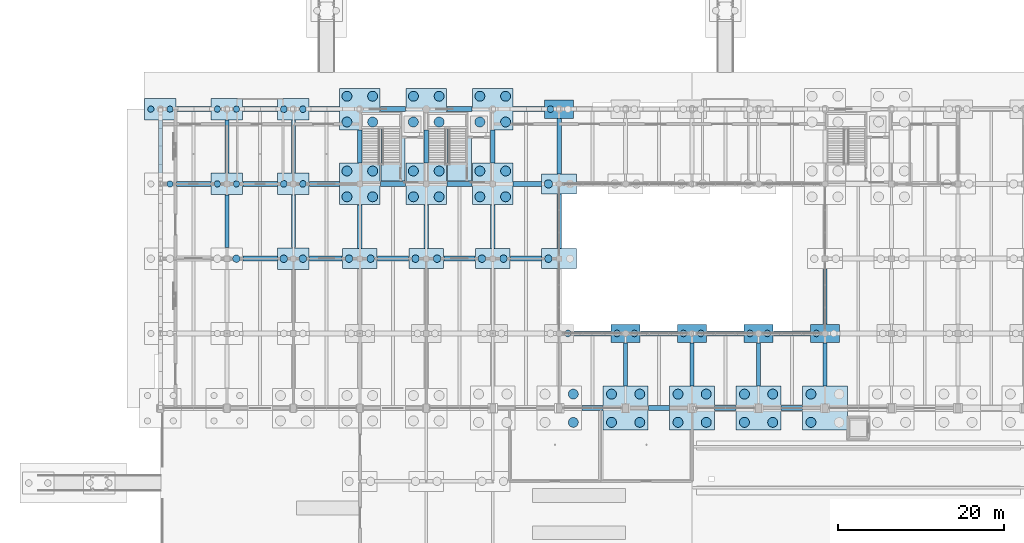
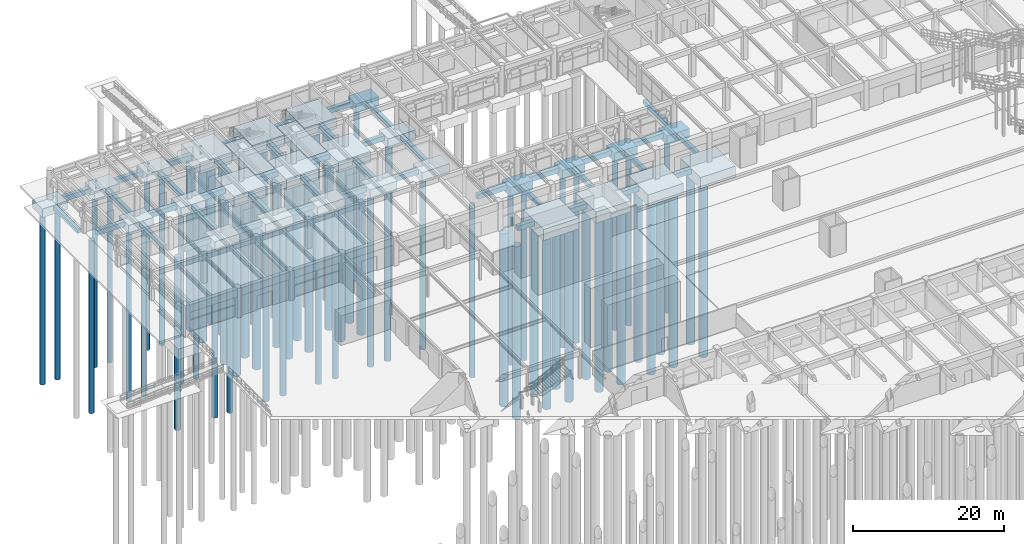
# One storey, part 5 of 147: 71 footings, 71 piles.
"""IFC4 building model written with IfcOpenShell, lengths in metres."""

from ifc_helpers import new_model, si_unit, direction, frame, origin, origin_2d, place, context, subcontext, project, spatial, rectangle, circle, extrude, material, layer, layer_set, material_profile, profile_set, type_object, element, save


model = new_model("IFC4")

# Units and contexts
model_context = context("Model", 3, precision=1e-05, world=origin(), true_north=direction((0.0, 1.0)))
body_context = subcontext(model_context, "Body", "Model", "MODEL_VIEW")
ifc_project = project(units=[si_unit("LENGTHUNIT", "METRE"), si_unit("AREAUNIT", "SQUARE_METRE"), si_unit("VOLUMEUNIT", "CUBIC_METRE"), si_unit("PLANEANGLEUNIT", "RADIAN"), si_unit("MASSUNIT", "GRAM", prefix="KILO")], contexts=[model_context])

# Site, building, storey
site_placement = place(None, origin())
site = spatial("IfcSite", under=ifc_project, at=site_placement, CompositionType="ELEMENT")
building_placement = place(site_placement, origin())
building = spatial("IfcBuilding", under=site, at=building_placement, Name="Varnabhumi Central Station", CompositionType="ELEMENT")
storey_placement = place(building_placement, origin())
storey = spatial("IfcBuildingStorey", under=building, at=storey_placement, Name="L00", CompositionType="ELEMENT", Elevation=0.0)

# Footings
ifc_material_1 = material(Name="Concrete M40", Category="concrete")
ifc_layer_1 = layer(ifc_material_1, 1.39990234375, Name="Concrete M40", Category="concrete")
ifc_layer_set_1 = layer_set([ifc_layer_1], Name="Concrete M40")
footing_type_1 = type_object("IfcFootingType", Name="CAP-CANOPY", PredefinedType="PILE_CAP", material=ifc_layer_set_1)
for number, where, z_axis, x_axis, name in (
    (1, (0.0, 116.0, -1.699951171875), (0.0, 0.0, 1.0), (1.0, 0.0, 0.0), "Pile Cap 1-P"),
    (2, (8.0, 107.0, -1.699951171875), (0.0, 0.0, 1.0), (1.0, 0.0, 0.0), "Pile Cap 2-N"),
    (3, (8.0, 116.0, -1.699951171875), (0.0, 0.0, 1.0), (1.0, 0.0, 0.0), "Pile Cap 2-P"),
    (4, (16.0, 98.0, -1.699951171875), (0.0, 0.0, 1.0), (1.0, 0.0, 0.0), "Pile Cap 3-M"),
    (5, (16.0, 107.0, -1.699951171875), (0.0, 0.0, 1.0), (1.0, 0.0, 0.0), "Pile Cap 3-N"),
    (6, (16.0, 116.0, -1.699951171875), (0.0, 0.0, 1.0), (1.0, 0.0, 0.0), "Pile Cap 3-P"),
):
    element("IfcFooting", number, at=place(storey_placement, frame(where, z_axis=z_axis, x_axis=x_axis)), inside=storey, type_object=footing_type_1, Name=name, PredefinedType="PILE_CAP", context=body_context, shape_type="SweptSolid", body=[
        extrude(rectangle(XDim=3.800048828125, YDim=2.60009765625, at=origin_2d()), origin(), (0.0, 0.0, 1.0), 1.39990234375),
    ])
ifc_layer_2 = layer(ifc_material_1, 1.75, Name="Concrete M40", Category="concrete")
ifc_layer_set_2 = layer_set([ifc_layer_2], Name="Concrete M40")
footing_type_2 = type_object("IfcFootingType", Name="CAP-CORE-6S", PredefinedType="PILE_CAP", material=ifc_layer_set_2)
for number, where, z_axis, x_axis, name in (
    (7, (24.0, 107.0, -2.050048828125), (0.0, 0.0, 1.0), (1.0, 0.0, 0.0), "Pile Cap 4-N"),
    (8, (24.0, 116.0, -2.050048828125), (0.0, 0.0, 1.0), (1.0, 0.0, 0.0), "Pile Cap 4-P"),
    (9, (32.0, 107.0, -2.050048828125), (0.0, 0.0, 1.0), (1.0, 0.0, 0.0), "Pile Cap 5-N"),
    (10, (32.0, 116.0, -2.050048828125), (0.0, 0.0, 1.0), (1.0, 0.0, 0.0), "Pile Cap 5-P"),
    (11, (40.0, 107.0, -2.050048828125), (0.0, 0.0, 1.0), (1.0, 0.0, 0.0), "Pile Cap 6-N"),
    (12, (40.0, 116.0, -2.050048828125), (0.0, 0.0, 1.0), (1.0, 0.0, 0.0), "Pile Cap 6-P"),
):
    element("IfcFooting", number, at=place(storey_placement, frame(where, z_axis=z_axis, x_axis=x_axis)), inside=storey, type_object=footing_type_2, Name=name, PredefinedType="PILE_CAP", context=body_context, shape_type="SweptSolid", body=[
        extrude(rectangle(XDim=4.89990234375, YDim=5.0, at=origin_2d()), origin(), (0.0, 0.0, 1.0), 1.75),
    ])
ifc_layer_3 = layer(ifc_material_1, 1.5, Name="Concrete M40", Category="concrete")
ifc_layer_set_3 = layer_set([ifc_layer_3], Name="Concrete M40")
footing_type_3 = type_object("IfcFootingType", Name="CAP-NORTH-INT", PredefinedType="PILE_CAP", material=ifc_layer_set_3)
for number, where, z_axis, x_axis, name in (
    (13, (24.0, 98.0, -1.800048828125), (0.0, 0.0, 1.0), (1.0, 0.0, 0.0), "Pile Cap 4-M"),
    (14, (32.0, 98.0, -1.800048828125), (0.0, 0.0, 1.0), (1.0, 0.0, 0.0), "Pile Cap 5-M"),
    (15, (40.0, 98.0, -1.800048828125), (0.0, 0.0, 1.0), (1.0, 0.0, 0.0), "Pile Cap 6-M"),
    (16, (48.0, 98.0, -1.800048828125), (0.0, 0.0, 1.0), (1.0, 0.0, 0.0), "Pile Cap 7-M"),
    (17, (48.0, 107.0, -1.800048828125), (0.0, 0.0, 1.0), (1.0, 0.0, 0.0), "Pile Cap 7-N"),
):
    element("IfcFooting", number, at=place(storey_placement, frame(where, z_axis=z_axis, x_axis=x_axis)), inside=storey, type_object=footing_type_3, Name=name, PredefinedType="PILE_CAP", context=body_context, shape_type="SweptSolid", body=[
        extrude(rectangle(XDim=4.199951171875, YDim=2.39990234375, at=origin_2d()), origin(), (0.0, 0.0, 1.0), 1.5),
    ])
ifc_layer_4 = layer(ifc_material_1, 1.449951171875, Name="Concrete M40", Category="concrete")
ifc_layer_set_4 = layer_set([ifc_layer_4], Name="Concrete M40")
footing_type_4 = type_object("IfcFootingType", Name="CAP-NORTH-PER", PredefinedType="PILE_CAP", material=ifc_layer_set_4)
for number, where, z_axis, x_axis, name in (
    (18, (48.0, 116.0, -1.75), (0.0, 0.0, 1.0), (1.0, 0.0, 0.0), "Pile Cap 7-P"),
    (19, (56.0, 89.0, -1.75), (0.0, 0.0, 1.0), (1.0, 0.0, 0.0), "Pile Cap 8-L"),
    (20, (64.0, 89.0, -1.75), (0.0, 0.0, 1.0), (1.0, 0.0, 0.0), "Pile Cap 9-L"),
    (21, (72.0, 89.0, -1.75), (0.0, 0.0, 1.0), (1.0, 0.0, 0.0), "Pile Cap 10-L"),
    (22, (80.0, 89.0, -1.75), (0.0, 0.0, 1.0), (1.0, 0.0, 0.0), "Pile Cap 11-L"),
):
    element("IfcFooting", number, at=place(storey_placement, frame(where, z_axis=z_axis, x_axis=x_axis)), inside=storey, type_object=footing_type_4, Name=name, PredefinedType="PILE_CAP", context=body_context, shape_type="SweptSolid", body=[
        extrude(rectangle(XDim=3.5, YDim=2.199951171875, at=origin_2d()), origin(), (0.0, 0.0, 1.0), 1.449951171875),
    ])
ifc_layer_5 = layer(ifc_material_1, 1.800048828125, Name="Concrete M40", Category="concrete")
ifc_layer_set_5 = layer_set([ifc_layer_5], Name="Concrete M40")
footing_type_5 = type_object("IfcFootingType", Name="CAP-SPINE-HVY", PredefinedType="PILE_CAP", material=ifc_layer_set_5)
for number, where, z_axis, x_axis, name in (
    (23, (56.0, 80.0, -2.10009765625), (0.0, 0.0, 1.0), (1.0, 0.0, 0.0), "Pile Cap 8-K"),
    (24, (64.0, 80.0, -2.10009765625), (0.0, 0.0, 1.0), (1.0, 0.0, 0.0), "Pile Cap 9-K"),
    (25, (72.0, 80.0, -2.10009765625), (0.0, 0.0, 1.0), (1.0, 0.0, 0.0), "Pile Cap 10-K"),
    (26, (80.0, 80.0, -2.10009765625), (0.0, 0.0, 1.0), (1.0, 0.0, 0.0), "Pile Cap 11-K"),
):
    element("IfcFooting", number, at=place(storey_placement, frame(where, z_axis=z_axis, x_axis=x_axis)), inside=storey, type_object=footing_type_5, Name=name, PredefinedType="PILE_CAP", context=body_context, shape_type="SweptSolid", body=[
        extrude(rectangle(XDim=5.39990234375, YDim=5.300048828125, at=origin_2d()), origin(), (0.0, 0.0, 1.0), 1.800048828125),
    ])
footing_type_6 = type_object("IfcFootingType", Name="FTG-STRIP-PLAT", PredefinedType="STRIP_FOOTING", material=ifc_material_1)
for number, where, z_axis, x_axis, name in (
    (27, (28.0, 111.5, -1.60009765625), (0.0, 0.0, 1.0), (1.0, 0.0, 0.0), "Core Foundation Mat NC1"),
    (28, (36.0, 111.5, -1.60009765625), (0.0, 0.0, 1.0), (1.0, 0.0, 0.0), "Core Foundation Mat NC4"),
):
    element("IfcFooting", number, at=place(storey_placement, frame(where, z_axis=z_axis, x_axis=x_axis)), inside=storey, type_object=footing_type_6, Name=name, PredefinedType="STRIP_FOOTING", context=body_context, shape_type="SweptSolid", body=[
        extrude(rectangle(XDim=2.89990234375, YDim=8.300048828125, at=origin_2d()), origin(), (0.0, 0.0, 1.0), 1.300048828125),
    ])
footing_type_7 = type_object("IfcFootingType", Name="FTG-TIE-500x700", PredefinedType="FOOTING_BEAM", material=ifc_material_1)
for number, where, z_axis, x_axis, name in (
    (29, (0.0, 111.5, -1.0), (0.0, 0.0, 1.0), (1.0, 0.0, 0.0), "Plinth Tie Beam 1:N-P"),
    (30, (8.0, 102.5, -1.0), (0.0, 0.0, 1.0), (1.0, 0.0, 0.0), "Plinth Tie Beam 2:M-N"),
    (31, (8.0, 111.5, -1.0), (0.0, 0.0, 1.0), (1.0, 0.0, 0.0), "Plinth Tie Beam 2:N-P"),
    (32, (16.0, 102.5, -1.0), (0.0, 0.0, 1.0), (1.0, 0.0, 0.0), "Plinth Tie Beam 3:M-N"),
    (33, (16.0, 111.5, -1.0), (0.0, 0.0, 1.0), (1.0, 0.0, 0.0), "Plinth Tie Beam 3:N-P"),
):
    element("IfcFooting", number, at=place(storey_placement, frame(where, z_axis=z_axis, x_axis=x_axis)), inside=storey, type_object=footing_type_7, Name=name, PredefinedType="FOOTING_BEAM", context=body_context, shape_type="SweptSolid", body=[
        extrude(rectangle(XDim=0.5, YDim=6.360107421875, at=origin_2d()), origin(), (0.0, 0.0, 1.0), 0.699951171875),
    ])
footing_1_placement = place(storey_placement, frame((24.0, 101.85009765625, -1.0), z_axis=(0.0, 0.0, 1.0), x_axis=(1.0, 0.0, 0.0)))
element("IfcFooting", 34, at=footing_1_placement, inside=storey, type_object=footing_type_7, Name="Plinth Tie Beam 4:M-N", PredefinedType="FOOTING_BEAM", context=body_context, shape_type="SweptSolid", body=[
    extrude(rectangle(XDim=0.5, YDim=5.260009765625, at=origin_2d()), origin(), (0.0, 0.0, 1.0), 0.699951171875),
])
footing_2_placement = place(storey_placement, frame((24.0, 111.5, -1.0), z_axis=(0.0, 0.0, 1.0), x_axis=(1.0, 0.0, 0.0)))
element("IfcFooting", 35, at=footing_2_placement, inside=storey, type_object=footing_type_7, Name="Plinth Tie Beam 4:N-P", PredefinedType="FOOTING_BEAM", context=body_context, shape_type="SweptSolid", body=[
    extrude(rectangle(XDim=0.5, YDim=3.9599609375, at=origin_2d()), origin(), (0.0, 0.0, 1.0), 0.699951171875),
])
footing_3_placement = place(storey_placement, frame((32.0, 101.85009765625, -1.0), z_axis=(0.0, 0.0, 1.0), x_axis=(1.0, 0.0, 0.0)))
element("IfcFooting", 36, at=footing_3_placement, inside=storey, type_object=footing_type_7, Name="Plinth Tie Beam 5:M-N", PredefinedType="FOOTING_BEAM", context=body_context, shape_type="SweptSolid", body=[
    extrude(rectangle(XDim=0.5, YDim=5.260009765625, at=origin_2d()), origin(), (0.0, 0.0, 1.0), 0.699951171875),
])
footing_4_placement = place(storey_placement, frame((32.0, 111.5, -1.0), z_axis=(0.0, 0.0, 1.0), x_axis=(1.0, 0.0, 0.0)))
element("IfcFooting", 37, at=footing_4_placement, inside=storey, type_object=footing_type_7, Name="Plinth Tie Beam 5:N-P", PredefinedType="FOOTING_BEAM", context=body_context, shape_type="SweptSolid", body=[
    extrude(rectangle(XDim=0.5, YDim=3.9599609375, at=origin_2d()), origin(), (0.0, 0.0, 1.0), 0.699951171875),
])
footing_5_placement = place(storey_placement, frame((40.0, 101.85009765625, -1.0), z_axis=(0.0, 0.0, 1.0), x_axis=(1.0, 0.0, 0.0)))
element("IfcFooting", 38, at=footing_5_placement, inside=storey, type_object=footing_type_7, Name="Plinth Tie Beam 6:M-N", PredefinedType="FOOTING_BEAM", context=body_context, shape_type="SweptSolid", body=[
    extrude(rectangle(XDim=0.5, YDim=5.260009765625, at=origin_2d()), origin(), (0.0, 0.0, 1.0), 0.699951171875),
])
footing_6_placement = place(storey_placement, frame((40.0, 111.5, -1.0), z_axis=(0.0, 0.0, 1.0), x_axis=(1.0, 0.0, 0.0)))
element("IfcFooting", 39, at=footing_6_placement, inside=storey, type_object=footing_type_7, Name="Plinth Tie Beam 6:N-P", PredefinedType="FOOTING_BEAM", context=body_context, shape_type="SweptSolid", body=[
    extrude(rectangle(XDim=0.5, YDim=3.9599609375, at=origin_2d()), origin(), (0.0, 0.0, 1.0), 0.699951171875),
])
footing_7_placement = place(storey_placement, frame((48.0, 102.5, -1.0), z_axis=(0.0, 0.0, 1.0), x_axis=(1.0, 0.0, 0.0)))
element("IfcFooting", 40, at=footing_7_placement, inside=storey, type_object=footing_type_7, Name="Plinth Tie Beam 7:M-N", PredefinedType="FOOTING_BEAM", context=body_context, shape_type="SweptSolid", body=[
    extrude(rectangle(XDim=0.5, YDim=6.56005859375, at=origin_2d()), origin(), (0.0, 0.0, 1.0), 0.699951171875),
])
footing_8_placement = place(storey_placement, frame((48.0, 111.550048828125, -1.0), z_axis=(0.0, 0.0, 1.0), x_axis=(1.0, 0.0, 0.0)))
element("IfcFooting", 41, at=footing_8_placement, inside=storey, type_object=footing_type_7, Name="Plinth Tie Beam 7:N-P", PredefinedType="FOOTING_BEAM", context=body_context, shape_type="SweptSolid", body=[
    extrude(rectangle(XDim=0.5, YDim=6.659912109375, at=origin_2d()), origin(), (0.0, 0.0, 1.0), 0.699951171875),
])
for number, where, z_axis, x_axis, name in (
    (42, (56.0, 85.27490234375, -1.0), (0.0, 0.0, 1.0), (1.0, 0.0, 0.0), "Plinth Tie Beam 8:K-L"),
    (43, (64.0, 85.27490234375, -1.0), (0.0, 0.0, 1.0), (1.0, 0.0, 0.0), "Plinth Tie Beam 9:K-L"),
    (44, (72.0, 85.27490234375, -1.0), (0.0, 0.0, 1.0), (1.0, 0.0, 0.0), "Plinth Tie Beam 10:K-L"),
    (45, (80.0, 85.27490234375, -1.0), (0.0, 0.0, 1.0), (1.0, 0.0, 0.0), "Plinth Tie Beam 11:K-L"),
):
    element("IfcFooting", number, at=place(storey_placement, frame(where, z_axis=z_axis, x_axis=x_axis)), inside=storey, type_object=footing_type_7, Name=name, PredefinedType="FOOTING_BEAM", context=body_context, shape_type="SweptSolid", body=[
        extrude(rectangle(XDim=0.5, YDim=5.2099609375, at=origin_2d()), origin(), (0.0, 0.0, 1.0), 0.699951171875),
    ])
footing_9_placement = place(storey_placement, frame((80.0, 93.449951171875, -1.0), z_axis=(0.0, 0.0, 1.0), x_axis=(1.0, 0.0, 0.0)))
element("IfcFooting", 46, at=footing_9_placement, inside=storey, type_object=footing_type_7, Name="Plinth Tie Beam 11:L-M", PredefinedType="FOOTING_BEAM", context=body_context, shape_type="SweptSolid", body=[
    extrude(rectangle(XDim=0.5, YDim=6.659912109375, at=origin_2d()), origin(), (0.0, 0.0, 1.0), 0.699951171875),
])
footing_type_8 = type_object("IfcFootingType", Name="FTG-TIE-600x800", PredefinedType="FOOTING_BEAM", material=ifc_material_1)
for number, where, z_axis, x_axis, name in (
    (47, (4.0, 107.0, -1.10009765625), (0.0, 0.0, 1.0), (1.0, 0.0, 0.0), "Plinth Tie Beam N:1-2"),
    (48, (4.0, 116.0, -1.10009765625), (0.0, 0.0, 1.0), (1.0, 0.0, 0.0), "Plinth Tie Beam P:1-2"),
    (49, (12.0, 98.0, -1.10009765625), (0.0, 0.0, 1.0), (1.0, 0.0, 0.0), "Plinth Tie Beam M:2-3"),
    (50, (12.0, 107.0, -1.10009765625), (0.0, 0.0, 1.0), (1.0, 0.0, 0.0), "Plinth Tie Beam N:2-3"),
    (51, (12.0, 116.0, -1.10009765625), (0.0, 0.0, 1.0), (1.0, 0.0, 0.0), "Plinth Tie Beam P:2-3"),
):
    element("IfcFooting", number, at=place(storey_placement, frame(where, z_axis=z_axis, x_axis=x_axis)), inside=storey, type_object=footing_type_8, Name=name, PredefinedType="FOOTING_BEAM", context=body_context, shape_type="SweptSolid", body=[
        extrude(rectangle(XDim=4.159912109375, YDim=0.60009765625, at=origin_2d()), origin(), (0.0, 0.0, 1.0), 0.800048828125),
    ])
footing_10_placement = place(storey_placement, frame((19.89990234375, 98.0, -1.10009765625), z_axis=(0.0, 0.0, 1.0), x_axis=(1.0, 0.0, 0.0)))
element("IfcFooting", 52, at=footing_10_placement, inside=storey, type_object=footing_type_8, Name="Plinth Tie Beam M:3-4", PredefinedType="FOOTING_BEAM", context=body_context, shape_type="SweptSolid", body=[
    extrude(rectangle(XDim=3.9599609375, YDim=0.60009765625, at=origin_2d()), origin(), (0.0, 0.0, 1.0), 0.800048828125),
])
for number, where, z_axis, x_axis, name in (
    (53, (19.72509765625, 107.0, -1.10009765625), (0.0, 0.0, 1.0), (1.0, 0.0, 0.0), "Plinth Tie Beam N:3-4"),
    (54, (19.72509765625, 116.0, -1.10009765625), (0.0, 0.0, 1.0), (1.0, 0.0, 0.0), "Plinth Tie Beam P:3-4"),
):
    element("IfcFooting", number, at=place(storey_placement, frame(where, z_axis=z_axis, x_axis=x_axis)), inside=storey, type_object=footing_type_8, Name=name, PredefinedType="FOOTING_BEAM", context=body_context, shape_type="SweptSolid", body=[
        extrude(rectangle(XDim=3.610107421875, YDim=0.60009765625, at=origin_2d()), origin(), (0.0, 0.0, 1.0), 0.800048828125),
    ])
footing_11_placement = place(storey_placement, frame((28.0, 98.0, -1.10009765625), z_axis=(0.0, 0.0, 1.0), x_axis=(1.0, 0.0, 0.0)))
element("IfcFooting", 55, at=footing_11_placement, inside=storey, type_object=footing_type_8, Name="Plinth Tie Beam M:4-5", PredefinedType="FOOTING_BEAM", context=body_context, shape_type="SweptSolid", body=[
    extrude(rectangle(XDim=3.760009765625, YDim=0.60009765625, at=origin_2d()), origin(), (0.0, 0.0, 1.0), 0.800048828125),
])
for number, where, z_axis, x_axis, name in (
    (56, (28.0, 107.0, -1.10009765625), (0.0, 0.0, 1.0), (1.0, 0.0, 0.0), "Plinth Tie Beam N:4-5"),
    (57, (28.0, 116.0, -1.10009765625), (0.0, 0.0, 1.0), (1.0, 0.0, 0.0), "Plinth Tie Beam P:4-5"),
):
    element("IfcFooting", number, at=place(storey_placement, frame(where, z_axis=z_axis, x_axis=x_axis)), inside=storey, type_object=footing_type_8, Name=name, PredefinedType="FOOTING_BEAM", context=body_context, shape_type="SweptSolid", body=[
        extrude(rectangle(XDim=3.06005859375, YDim=0.60009765625, at=origin_2d()), origin(), (0.0, 0.0, 1.0), 0.800048828125),
    ])
footing_12_placement = place(storey_placement, frame((36.0, 98.0, -1.10009765625), z_axis=(0.0, 0.0, 1.0), x_axis=(1.0, 0.0, 0.0)))
element("IfcFooting", 58, at=footing_12_placement, inside=storey, type_object=footing_type_8, Name="Plinth Tie Beam M:5-6", PredefinedType="FOOTING_BEAM", context=body_context, shape_type="SweptSolid", body=[
    extrude(rectangle(XDim=3.760009765625, YDim=0.60009765625, at=origin_2d()), origin(), (0.0, 0.0, 1.0), 0.800048828125),
])
for number, where, z_axis, x_axis, name in (
    (59, (36.0, 107.0, -1.10009765625), (0.0, 0.0, 1.0), (1.0, 0.0, 0.0), "Plinth Tie Beam N:5-6"),
    (60, (36.0, 116.0, -1.10009765625), (0.0, 0.0, 1.0), (1.0, 0.0, 0.0), "Plinth Tie Beam P:5-6"),
):
    element("IfcFooting", number, at=place(storey_placement, frame(where, z_axis=z_axis, x_axis=x_axis)), inside=storey, type_object=footing_type_8, Name=name, PredefinedType="FOOTING_BEAM", context=body_context, shape_type="SweptSolid", body=[
        extrude(rectangle(XDim=3.06005859375, YDim=0.60009765625, at=origin_2d()), origin(), (0.0, 0.0, 1.0), 0.800048828125),
    ])
footing_13_placement = place(storey_placement, frame((44.0, 98.0, -1.10009765625), z_axis=(0.0, 0.0, 1.0), x_axis=(1.0, 0.0, 0.0)))
element("IfcFooting", 61, at=footing_13_placement, inside=storey, type_object=footing_type_8, Name="Plinth Tie Beam M:6-7", PredefinedType="FOOTING_BEAM", context=body_context, shape_type="SweptSolid", body=[
    extrude(rectangle(XDim=3.760009765625, YDim=0.60009765625, at=origin_2d()), origin(), (0.0, 0.0, 1.0), 0.800048828125),
])
footing_14_placement = place(storey_placement, frame((44.175048828125, 107.0, -1.10009765625), z_axis=(0.0, 0.0, 1.0), x_axis=(1.0, 0.0, 0.0)))
element("IfcFooting", 62, at=footing_14_placement, inside=storey, type_object=footing_type_8, Name="Plinth Tie Beam N:6-7", PredefinedType="FOOTING_BEAM", context=body_context, shape_type="SweptSolid", body=[
    extrude(rectangle(XDim=3.409912109375, YDim=0.60009765625, at=origin_2d()), origin(), (0.0, 0.0, 1.0), 0.800048828125),
])
footing_15_placement = place(storey_placement, frame((44.35009765625, 116.0, -1.10009765625), z_axis=(0.0, 0.0, 1.0), x_axis=(1.0, 0.0, 0.0)))
element("IfcFooting", 63, at=footing_15_placement, inside=storey, type_object=footing_type_8, Name="Plinth Tie Beam P:6-7", PredefinedType="FOOTING_BEAM", context=body_context, shape_type="SweptSolid", body=[
    extrude(rectangle(XDim=3.760009765625, YDim=0.60009765625, at=origin_2d()), origin(), (0.0, 0.0, 1.0), 0.800048828125),
])
footing_16_placement = place(storey_placement, frame((52.0, 80.0, -1.10009765625), z_axis=(0.0, 0.0, 1.0), x_axis=(1.0, 0.0, 0.0)))
element("IfcFooting", 64, at=footing_16_placement, inside=storey, type_object=footing_type_8, Name="Plinth Tie Beam K:7-8", PredefinedType="FOOTING_BEAM", context=body_context, shape_type="SweptSolid", body=[
    extrude(rectangle(XDim=2.56005859375, YDim=0.60009765625, at=origin_2d()), origin(), (0.0, 0.0, 1.0), 0.800048828125),
])
footing_17_placement = place(storey_placement, frame((52.0, 89.0, -1.10009765625), z_axis=(0.0, 0.0, 1.0), x_axis=(1.0, 0.0, 0.0)))
element("IfcFooting", 65, at=footing_17_placement, inside=storey, type_object=footing_type_8, Name="Plinth Tie Beam L:7-8", PredefinedType="FOOTING_BEAM", context=body_context, shape_type="SweptSolid", body=[
    extrude(rectangle(XDim=4.4599609375, YDim=0.60009765625, at=origin_2d()), origin(), (0.0, 0.0, 1.0), 0.800048828125),
])
footing_18_placement = place(storey_placement, frame((60.0, 80.0, -1.10009765625), z_axis=(0.0, 0.0, 1.0), x_axis=(1.0, 0.0, 0.0)))
element("IfcFooting", 66, at=footing_18_placement, inside=storey, type_object=footing_type_8, Name="Plinth Tie Beam K:8-9", PredefinedType="FOOTING_BEAM", context=body_context, shape_type="SweptSolid", body=[
    extrude(rectangle(XDim=2.56005859375, YDim=0.60009765625, at=origin_2d()), origin(), (0.0, 0.0, 1.0), 0.800048828125),
])
footing_19_placement = place(storey_placement, frame((60.0, 89.0, -1.10009765625), z_axis=(0.0, 0.0, 1.0), x_axis=(1.0, 0.0, 0.0)))
element("IfcFooting", 67, at=footing_19_placement, inside=storey, type_object=footing_type_8, Name="Plinth Tie Beam L:8-9", PredefinedType="FOOTING_BEAM", context=body_context, shape_type="SweptSolid", body=[
    extrude(rectangle(XDim=4.4599609375, YDim=0.60009765625, at=origin_2d()), origin(), (0.0, 0.0, 1.0), 0.800048828125),
])
footing_20_placement = place(storey_placement, frame((68.0, 80.0, -1.10009765625), z_axis=(0.0, 0.0, 1.0), x_axis=(1.0, 0.0, 0.0)))
element("IfcFooting", 68, at=footing_20_placement, inside=storey, type_object=footing_type_8, Name="Plinth Tie Beam K:9-10", PredefinedType="FOOTING_BEAM", context=body_context, shape_type="SweptSolid", body=[
    extrude(rectangle(XDim=2.56005859375, YDim=0.60009765625, at=origin_2d()), origin(), (0.0, 0.0, 1.0), 0.800048828125),
])
footing_21_placement = place(storey_placement, frame((68.0, 89.0, -1.10009765625), z_axis=(0.0, 0.0, 1.0), x_axis=(1.0, 0.0, 0.0)))
element("IfcFooting", 69, at=footing_21_placement, inside=storey, type_object=footing_type_8, Name="Plinth Tie Beam L:9-10", PredefinedType="FOOTING_BEAM", context=body_context, shape_type="SweptSolid", body=[
    extrude(rectangle(XDim=4.4599609375, YDim=0.60009765625, at=origin_2d()), origin(), (0.0, 0.0, 1.0), 0.800048828125),
])
footing_22_placement = place(storey_placement, frame((76.0, 80.0, -1.10009765625), z_axis=(0.0, 0.0, 1.0), x_axis=(1.0, 0.0, 0.0)))
element("IfcFooting", 70, at=footing_22_placement, inside=storey, type_object=footing_type_8, Name="Plinth Tie Beam K:10-11", PredefinedType="FOOTING_BEAM", context=body_context, shape_type="SweptSolid", body=[
    extrude(rectangle(XDim=2.56005859375, YDim=0.60009765625, at=origin_2d()), origin(), (0.0, 0.0, 1.0), 0.800048828125),
])
footing_23_placement = place(storey_placement, frame((76.0, 89.0, -1.10009765625), z_axis=(0.0, 0.0, 1.0), x_axis=(1.0, 0.0, 0.0)))
element("IfcFooting", 71, at=footing_23_placement, inside=storey, type_object=footing_type_8, Name="Plinth Tie Beam L:10-11", PredefinedType="FOOTING_BEAM", context=body_context, shape_type="SweptSolid", body=[
    extrude(rectangle(XDim=4.4599609375, YDim=0.60009765625, at=origin_2d()), origin(), (0.0, 0.0, 1.0), 0.800048828125),
])

# Piles
ifc_material_2 = material(Name="Concrete M35", Category="concrete")
ifc_material_profile_1 = material_profile(ifc_material_2, circle(Radius=0.5, at=origin_2d()), Name="Concrete M35", Category="concrete")
ifc_profile_set_1 = profile_set([ifc_material_profile_1], Name="Concrete M35")
pile_type_1 = type_object("IfcPileType", Name="PILE-D1000", PredefinedType="BORED", material=ifc_profile_set_1)
pile_placement = place(storey_placement, frame((46.699951171875, 107.0, -1.699951171875), z_axis=(0.0, 0.0, -1.0), x_axis=(1.0, 0.0, 0.0)))
element("IfcPile", 72, at=pile_placement, inside=storey, type_object=pile_type_1, Name="Bored Pile 7-N-P1", PredefinedType="BORED", context=body_context, shape_type="SweptSolid", body=[
    extrude(circle(Radius=0.5, at=origin_2d()), origin(), (0.0, 0.0, 1.0), 28.0),
])
ifc_material_profile_2 = material_profile(ifc_material_2, circle(Radius=0.60009765625, at=origin_2d()), Name="Concrete M35", Category="concrete")
ifc_profile_set_2 = profile_set([ifc_material_profile_2], Name="Concrete M35")
pile_type_2 = type_object("IfcPileType", Name="PILE-D1200", PredefinedType="BORED", material=ifc_profile_set_2)
for number, where, z_axis, x_axis, name in (
    (73, (22.449951171875, 105.449951171875, -1.949951171875), (0.0, 0.0, -1.0), (1.0, 0.0, 0.0), "Bored Pile 4-N-P1"),
    (74, (25.550048828125, 105.449951171875, -1.949951171875), (0.0, 0.0, -1.0), (1.0, 0.0, 0.0), "Bored Pile 4-N-P2"),
    (75, (22.449951171875, 108.550048828125, -1.949951171875), (0.0, 0.0, -1.0), (1.0, 0.0, 0.0), "Bored Pile 4-N-P3"),
    (76, (25.550048828125, 108.550048828125, -1.949951171875), (0.0, 0.0, -1.0), (1.0, 0.0, 0.0), "Bored Pile 4-N-P4"),
    (77, (22.449951171875, 114.449951171875, -1.949951171875), (0.0, 0.0, -1.0), (1.0, 0.0, 0.0), "Bored Pile 4-P-P1"),
    (78, (25.550048828125, 114.449951171875, -1.949951171875), (0.0, 0.0, -1.0), (1.0, 0.0, 0.0), "Bored Pile 4-P-P2"),
    (79, (22.449951171875, 117.550048828125, -1.949951171875), (0.0, 0.0, -1.0), (1.0, 0.0, 0.0), "Bored Pile 4-P-P3"),
    (80, (25.550048828125, 117.550048828125, -1.949951171875), (0.0, 0.0, -1.0), (1.0, 0.0, 0.0), "Bored Pile 4-P-P4"),
    (81, (30.449951171875, 105.449951171875, -1.949951171875), (0.0, 0.0, -1.0), (1.0, 0.0, 0.0), "Bored Pile 5-N-P1"),
    (82, (33.550048828125, 105.449951171875, -1.949951171875), (0.0, 0.0, -1.0), (1.0, 0.0, 0.0), "Bored Pile 5-N-P2"),
    (83, (30.449951171875, 108.550048828125, -1.949951171875), (0.0, 0.0, -1.0), (1.0, 0.0, 0.0), "Bored Pile 5-N-P3"),
    (84, (33.550048828125, 108.550048828125, -1.949951171875), (0.0, 0.0, -1.0), (1.0, 0.0, 0.0), "Bored Pile 5-N-P4"),
    (85, (30.449951171875, 114.449951171875, -1.949951171875), (0.0, 0.0, -1.0), (1.0, 0.0, 0.0), "Bored Pile 5-P-P1"),
    (86, (33.550048828125, 114.449951171875, -1.949951171875), (0.0, 0.0, -1.0), (1.0, 0.0, 0.0), "Bored Pile 5-P-P2"),
    (87, (30.449951171875, 117.550048828125, -1.949951171875), (0.0, 0.0, -1.0), (1.0, 0.0, 0.0), "Bored Pile 5-P-P3"),
    (88, (33.550048828125, 117.550048828125, -1.949951171875), (0.0, 0.0, -1.0), (1.0, 0.0, 0.0), "Bored Pile 5-P-P4"),
    (89, (38.449951171875, 105.449951171875, -1.949951171875), (0.0, 0.0, -1.0), (1.0, 0.0, 0.0), "Bored Pile 6-N-P1"),
    (90, (41.550048828125, 105.449951171875, -1.949951171875), (0.0, 0.0, -1.0), (1.0, 0.0, 0.0), "Bored Pile 6-N-P2"),
    (91, (38.449951171875, 108.550048828125, -1.949951171875), (0.0, 0.0, -1.0), (1.0, 0.0, 0.0), "Bored Pile 6-N-P3"),
    (92, (41.550048828125, 108.550048828125, -1.949951171875), (0.0, 0.0, -1.0), (1.0, 0.0, 0.0), "Bored Pile 6-N-P4"),
    (93, (38.449951171875, 114.449951171875, -1.949951171875), (0.0, 0.0, -1.0), (1.0, 0.0, 0.0), "Bored Pile 6-P-P1"),
    (94, (41.550048828125, 114.449951171875, -1.949951171875), (0.0, 0.0, -1.0), (1.0, 0.0, 0.0), "Bored Pile 6-P-P2"),
    (95, (38.449951171875, 117.550048828125, -1.949951171875), (0.0, 0.0, -1.0), (1.0, 0.0, 0.0), "Bored Pile 6-P-P3"),
    (96, (41.550048828125, 117.550048828125, -1.949951171875), (0.0, 0.0, -1.0), (1.0, 0.0, 0.0), "Bored Pile 6-P-P4"),
    (97, (49.699951171875, 78.300048828125, -2.0), (0.0, 0.0, -1.0), (1.0, 0.0, 0.0), "Bored Pile 7-K-P2"),
    (98, (49.699951171875, 81.699951171875, -2.0), (0.0, 0.0, -1.0), (1.0, 0.0, 0.0), "Bored Pile 7-K-P4"),
    (99, (54.300048828125, 78.300048828125, -2.0), (0.0, 0.0, -1.0), (1.0, 0.0, 0.0), "Bored Pile 8-K-P1"),
    (100, (57.699951171875, 78.300048828125, -2.0), (0.0, 0.0, -1.0), (1.0, 0.0, 0.0), "Bored Pile 8-K-P2"),
    (101, (54.300048828125, 81.699951171875, -2.0), (0.0, 0.0, -1.0), (1.0, 0.0, 0.0), "Bored Pile 8-K-P3"),
    (102, (57.699951171875, 81.699951171875, -2.0), (0.0, 0.0, -1.0), (1.0, 0.0, 0.0), "Bored Pile 8-K-P4"),
    (103, (62.300048828125, 78.300048828125, -2.0), (0.0, 0.0, -1.0), (1.0, 0.0, 0.0), "Bored Pile 9-K-P1"),
    (104, (65.699951171875, 78.300048828125, -2.0), (0.0, 0.0, -1.0), (1.0, 0.0, 0.0), "Bored Pile 9-K-P2"),
    (105, (62.300048828125, 81.699951171875, -2.0), (0.0, 0.0, -1.0), (1.0, 0.0, 0.0), "Bored Pile 9-K-P3"),
    (106, (65.699951171875, 81.699951171875, -2.0), (0.0, 0.0, -1.0), (1.0, 0.0, 0.0), "Bored Pile 9-K-P4"),
    (107, (70.300048828125, 78.300048828125, -2.0), (0.0, 0.0, -1.0), (1.0, 0.0, 0.0), "Bored Pile 10-K-P1"),
    (108, (73.699951171875, 78.300048828125, -2.0), (0.0, 0.0, -1.0), (1.0, 0.0, 0.0), "Bored Pile 10-K-P2"),
    (109, (70.300048828125, 81.699951171875, -2.0), (0.0, 0.0, -1.0), (1.0, 0.0, 0.0), "Bored Pile 10-K-P3"),
    (110, (73.699951171875, 81.699951171875, -2.0), (0.0, 0.0, -1.0), (1.0, 0.0, 0.0), "Bored Pile 10-K-P4"),
    (111, (78.300048828125, 78.300048828125, -2.0), (0.0, 0.0, -1.0), (1.0, 0.0, 0.0), "Bored Pile 11-K-P1"),
    (112, (78.300048828125, 81.699951171875, -2.0), (0.0, 0.0, -1.0), (1.0, 0.0, 0.0), "Bored Pile 11-K-P3"),
):
    element("IfcPile", number, at=place(storey_placement, frame(where, z_axis=z_axis, x_axis=x_axis)), inside=storey, type_object=pile_type_2, Name=name, PredefinedType="BORED", context=body_context, shape_type="SweptSolid", body=[
        extrude(circle(Radius=0.60009765625, at=origin_2d()), origin(), (0.0, 0.0, 1.0), 28.0),
    ])
ifc_material_profile_3 = material_profile(ifc_material_2, circle(Radius=0.375, at=origin_2d()), Name="Concrete M35", Category="concrete")
ifc_profile_set_3 = profile_set([ifc_material_profile_3], Name="Concrete M35")
pile_type_3 = type_object("IfcPileType", Name="PILE-D750", PredefinedType="BORED", material=ifc_profile_set_3)
for number, where, z_axis, x_axis, name in (
    (113, (1.14990234375, 107.0, -1.60009765625), (0.0, 0.0, -1.0), (1.0, 0.0, 0.0), "Bored Pile 1-N-P2"),
    (114, (-1.14990234375, 116.0, -1.60009765625), (0.0, 0.0, -1.0), (1.0, 0.0, 0.0), "Bored Pile 1-P-P1"),
    (115, (1.14990234375, 116.0, -1.60009765625), (0.0, 0.0, -1.0), (1.0, 0.0, 0.0), "Bored Pile 1-P-P2"),
    (116, (6.85009765625, 107.0, -1.60009765625), (0.0, 0.0, -1.0), (1.0, 0.0, 0.0), "Bored Pile 2-N-P1"),
    (117, (9.14990234375, 107.0, -1.60009765625), (0.0, 0.0, -1.0), (1.0, 0.0, 0.0), "Bored Pile 2-N-P2"),
    (118, (6.85009765625, 116.0, -1.60009765625), (0.0, 0.0, -1.0), (1.0, 0.0, 0.0), "Bored Pile 2-P-P1"),
    (119, (9.14990234375, 116.0, -1.60009765625), (0.0, 0.0, -1.0), (1.0, 0.0, 0.0), "Bored Pile 2-P-P2"),
):
    element("IfcPile", number, at=place(storey_placement, frame(where, z_axis=z_axis, x_axis=x_axis)), inside=storey, type_object=pile_type_3, Name=name, PredefinedType="BORED", context=body_context, shape_type="SweptSolid", body=[
        extrude(circle(Radius=0.375, at=origin_2d()), origin(), (0.0, 0.0, 1.0), 28.0),
    ])
ifc_material_profile_4 = material_profile(ifc_material_2, circle(Radius=0.39990234375, at=origin_2d()), Name="Concrete M35", Category="concrete")
ifc_profile_set_4 = profile_set([ifc_material_profile_4], Name="Concrete M35")
pile_type_4 = type_object("IfcPileType", Name="PILE-D800", PredefinedType="BORED", material=ifc_profile_set_4)
for number, where, z_axis, x_axis, name in (
    (120, (14.85009765625, 107.0, -1.60009765625), (0.0, 0.0, -1.0), (1.0, 0.0, 0.0), "Bored Pile 3-N-P1"),
    (121, (17.14990234375, 107.0, -1.60009765625), (0.0, 0.0, -1.0), (1.0, 0.0, 0.0), "Bored Pile 3-N-P2"),
    (122, (14.85009765625, 116.0, -1.60009765625), (0.0, 0.0, -1.0), (1.0, 0.0, 0.0), "Bored Pile 3-P-P1"),
    (123, (17.14990234375, 116.0, -1.60009765625), (0.0, 0.0, -1.0), (1.0, 0.0, 0.0), "Bored Pile 3-P-P2"),
    (124, (49.050048828125, 89.0, -1.64990234375), (0.0, 0.0, -1.0), (1.0, 0.0, 0.0), "Bored Pile 7-L-P2"),
    (125, (46.949951171875, 116.0, -1.64990234375), (0.0, 0.0, -1.0), (1.0, 0.0, 0.0), "Bored Pile 7-P-P1"),
    (126, (54.949951171875, 89.0, -1.64990234375), (0.0, 0.0, -1.0), (1.0, 0.0, 0.0), "Bored Pile 8-L-P1"),
    (127, (57.050048828125, 89.0, -1.64990234375), (0.0, 0.0, -1.0), (1.0, 0.0, 0.0), "Bored Pile 8-L-P2"),
    (128, (62.949951171875, 89.0, -1.64990234375), (0.0, 0.0, -1.0), (1.0, 0.0, 0.0), "Bored Pile 9-L-P1"),
    (129, (65.050048828125, 89.0, -1.64990234375), (0.0, 0.0, -1.0), (1.0, 0.0, 0.0), "Bored Pile 9-L-P2"),
    (130, (70.949951171875, 89.0, -1.64990234375), (0.0, 0.0, -1.0), (1.0, 0.0, 0.0), "Bored Pile 10-L-P1"),
    (131, (73.050048828125, 89.0, -1.64990234375), (0.0, 0.0, -1.0), (1.0, 0.0, 0.0), "Bored Pile 10-L-P2"),
    (132, (78.949951171875, 89.0, -1.64990234375), (0.0, 0.0, -1.0), (1.0, 0.0, 0.0), "Bored Pile 11-L-P1"),
):
    element("IfcPile", number, at=place(storey_placement, frame(where, z_axis=z_axis, x_axis=x_axis)), inside=storey, type_object=pile_type_4, Name=name, PredefinedType="BORED", context=body_context, shape_type="SweptSolid", body=[
        extrude(circle(Radius=0.39990234375, at=origin_2d()), origin(), (0.0, 0.0, 1.0), 28.0),
    ])
ifc_material_profile_5 = material_profile(ifc_material_2, circle(Radius=0.449951171875, at=origin_2d()), Name="Concrete M35", Category="concrete")
ifc_profile_set_5 = profile_set([ifc_material_profile_5], Name="Concrete M35")
pile_type_5 = type_object("IfcPileType", Name="PILE-D900", PredefinedType="BORED", material=ifc_profile_set_5)
for number, where, z_axis, x_axis, name in (
    (133, (9.14990234375, 98.0, -1.60009765625), (0.0, 0.0, -1.0), (1.0, 0.0, 0.0), "Bored Pile 2-M-P2"),
    (134, (14.85009765625, 98.0, -1.60009765625), (0.0, 0.0, -1.0), (1.0, 0.0, 0.0), "Bored Pile 3-M-P1"),
    (135, (17.14990234375, 98.0, -1.60009765625), (0.0, 0.0, -1.0), (1.0, 0.0, 0.0), "Bored Pile 3-M-P2"),
    (136, (22.699951171875, 98.0, -1.699951171875), (0.0, 0.0, -1.0), (1.0, 0.0, 0.0), "Bored Pile 4-M-P1"),
    (137, (25.300048828125, 98.0, -1.699951171875), (0.0, 0.0, -1.0), (1.0, 0.0, 0.0), "Bored Pile 4-M-P2"),
    (138, (30.699951171875, 98.0, -1.699951171875), (0.0, 0.0, -1.0), (1.0, 0.0, 0.0), "Bored Pile 5-M-P1"),
    (139, (33.300048828125, 98.0, -1.699951171875), (0.0, 0.0, -1.0), (1.0, 0.0, 0.0), "Bored Pile 5-M-P2"),
    (140, (38.699951171875, 98.0, -1.699951171875), (0.0, 0.0, -1.0), (1.0, 0.0, 0.0), "Bored Pile 6-M-P1"),
    (141, (41.300048828125, 98.0, -1.699951171875), (0.0, 0.0, -1.0), (1.0, 0.0, 0.0), "Bored Pile 6-M-P2"),
    (142, (46.699951171875, 98.0, -1.699951171875), (0.0, 0.0, -1.0), (1.0, 0.0, 0.0), "Bored Pile 7-M-P1"),
):
    element("IfcPile", number, at=place(storey_placement, frame(where, z_axis=z_axis, x_axis=x_axis)), inside=storey, type_object=pile_type_5, Name=name, PredefinedType="BORED", context=body_context, shape_type="SweptSolid", body=[
        extrude(circle(Radius=0.449951171875, at=origin_2d()), origin(), (0.0, 0.0, 1.0), 28.0),
    ])

save(model, "model.ifc")
